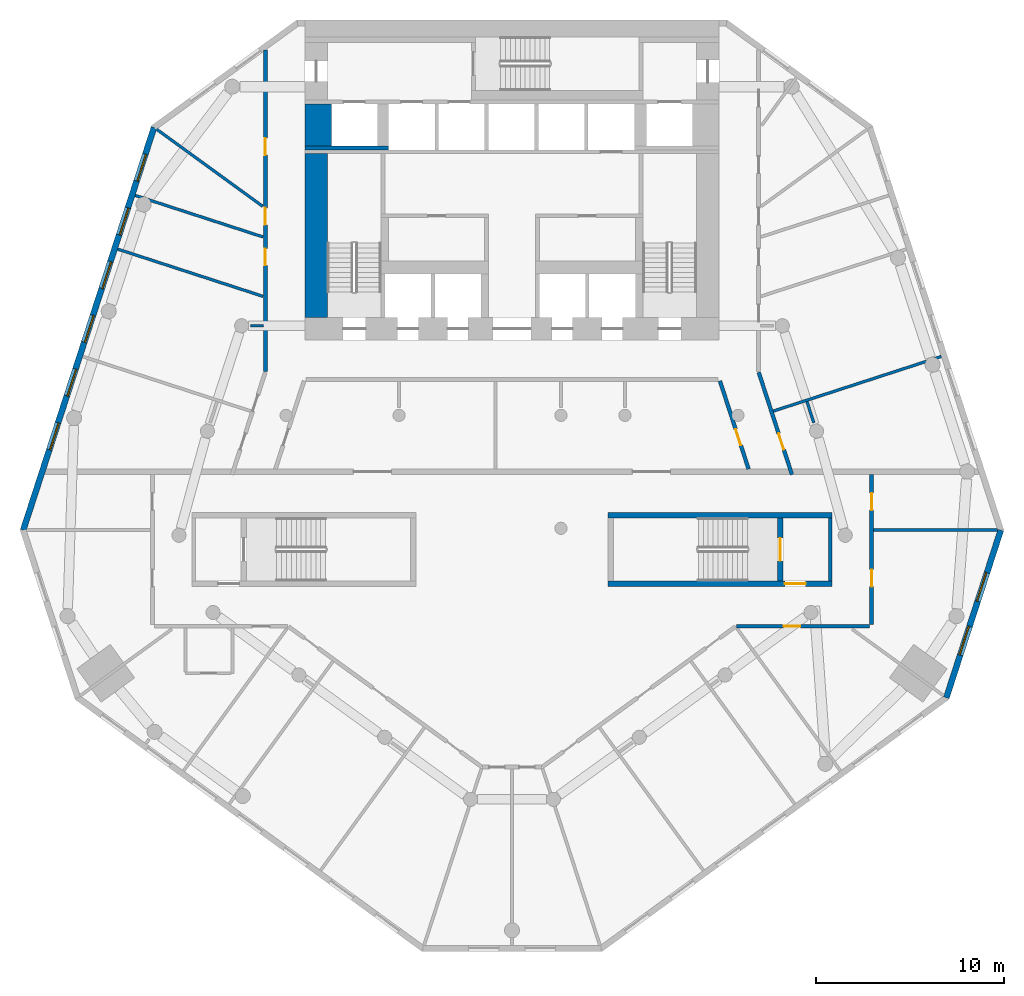
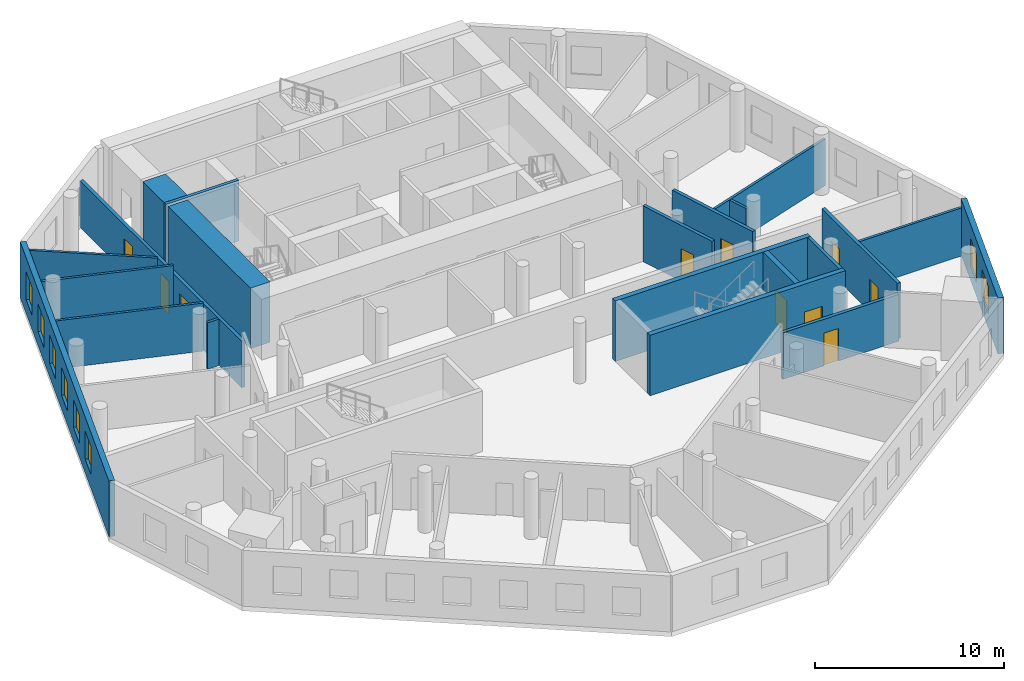
# One storey, part 4 of 9: 21 walls, 10 doors, 8 windows, 18 openings.
"""IFC4 building model written with IfcOpenShell, lengths in metres."""

from ifc_helpers import new_model, si_unit, direction, frame, frame_2d, origin, place, context, subcontext, project, spatial, rectangle, extrude, material, layer, layer_set, type_object, element, fill, save


model = new_model("IFC4")

# Units and contexts
model_context = context("Model", 3, precision=1e-05, world=origin(), true_north=direction((0.0, 1.0)))
body_context = subcontext(model_context, "Body", "Model", "MODEL_VIEW")
ifc_project = project(units=[si_unit("LENGTHUNIT", "METRE"), si_unit("AREAUNIT", "SQUARE_METRE"), si_unit("VOLUMEUNIT", "CUBIC_METRE"), si_unit("PLANEANGLEUNIT", "RADIAN"), si_unit("MASSUNIT", "GRAM", prefix="KILO")], contexts=[model_context])

# Site, building, storey
site_placement = place(None, origin())
site = spatial("IfcSite", under=ifc_project, at=site_placement, CompositionType="ELEMENT")
building_placement = place(site_placement, origin())
building = spatial("IfcBuilding", under=site, at=building_placement, Name="White Candle Pilgrim Tower", CompositionType="ELEMENT")
storey_placement = place(building_placement, frame((0.0, 0.0, 70.199951171875)))
storey = spatial("IfcBuildingStorey", under=building, at=storey_placement, Name="L14", CompositionType="ELEMENT", Elevation=70.199951171875)

# Walls
ifc_material_1 = material(Name="Concrete C70/85", Category="concrete")
ifc_layer_1 = layer(ifc_material_1, 1.39990234375)
ifc_layer_set_1 = layer_set([ifc_layer_1], Name="Core wall 1400 mm Concrete C70/85")
wall_type_1 = type_object("IfcWallType", Name="Core wall 1400 mm Concrete C70/85", PredefinedType="SHEAR", material=ifc_layer_set_1)
wall_1_placement = place(storey_placement, frame((59.699951171875, 81.300048828125, 0.0), z_axis=(0.0, 0.0, 1.0), x_axis=(0.0, 1.0, 0.0)))
element("IfcWall", 1, at=wall_1_placement, inside=storey, type_object=wall_type_1, Name="WL-L14-C37", PredefinedType="SHEAR", context=body_context, shape_type="SweptSolid", body=[
    extrude(rectangle(XDim=2.25, YDim=1.39990234375, at=frame_2d((1.125, 0.0))), origin(), (0.0, 0.0, 1.0), 3.900146484375),
])
ifc_layer_2 = layer(ifc_material_1, 0.199951171875)
ifc_layer_set_2 = layer_set([ifc_layer_2], Name="Core wall 200 mm Concrete C70/85")
wall_type_2 = type_object("IfcWallType", Name="Core wall 200 mm Concrete C70/85", PredefinedType="SHEAR", material=ifc_layer_set_2)
wall_2_placement = place(storey_placement, frame((86.89990234375, 58.199951171875, 0.0), z_axis=(0.0, 0.0, 1.0), x_axis=(0.0, 1.0, 0.0)))
element("IfcWall", 2, at=wall_2_placement, inside=storey, type_object=wall_type_2, Name="WL-L14-C08", PredefinedType="SHEAR", context=body_context, shape_type="SweptSolid", body=[
    extrude(rectangle(XDim=3.35009765625, YDim=0.199951171875, at=frame_2d((1.675048828125, 0.0))), origin(), (0.0, 0.0, 1.0), 3.900146484375),
])
wall_3_placement = place(storey_placement, frame((59.0, 81.199951171875, 0.0), z_axis=(0.0, 0.0, 1.0), x_axis=(1.0, 0.0, 0.0)))
element("IfcWall", 3, at=wall_3_placement, inside=storey, type_object=wall_type_2, Name="WL-L14-C31", PredefinedType="SHEAR", context=body_context, shape_type="SweptSolid", body=[
    extrude(rectangle(XDim=4.449951171875, YDim=0.199951171875, at=frame_2d((2.22509765625, 0.0))), origin(), (0.0, 0.0, 1.0), 3.900146484375),
])

# Wall, openings, doors
ifc_material_2 = material(Name="Gypsum board on steel studs", Category="steel")
ifc_layer_3 = layer(ifc_material_2, 0.199951171875)
ifc_layer_set_3 = layer_set([ifc_layer_3], Name="Corridor wall 200 mm EI 45")
wall_type_3 = type_object("IfcWallType", Name="Corridor wall 200 mm EI 45", PredefinedType="PARTITIONING", material=ifc_layer_set_3)
wall_4_placement = place(storey_placement, frame((56.89990234375, 69.319091796875, 0.0), z_axis=(0.0, 0.0, 1.0), x_axis=(0.0, 1.0, 0.0)))
wall_4 = element("IfcWall", 4, at=wall_4_placement, inside=storey, type_object=wall_type_3, Name="WL-L14-P003", PredefinedType="PARTITIONING", context=body_context, shape_type="SweptSolid", body=[
    extrude(rectangle(XDim=17.0771484375, YDim=0.199951171875, at=frame_2d((8.53857421875, 0.0))), origin(), (0.0, 0.0, 1.0), 3.0),
])
opening_1_placement = place(wall_4_placement, frame((5.642578125, 0.0, 0.0)))
opening_1 = element("IfcOpeningElement", 5, at=opening_1_placement, cuts=wall_4, Name="Opening T04-119", PredefinedType="OPENING", context=body_context, shape_type="SweptSolid", body=[
    extrude(rectangle(XDim=0.89990234375, YDim=2.10009765625, at=frame_2d((0.449951171875, 1.050048828125))), frame((0.0, 0.10986328125, 0.0), z_axis=(0.0, -1.0, 0.0), x_axis=(1.0, 0.0, 0.0)), (0.0, 0.0, 1.0), 0.219970703125),
])
opening_2_placement = place(wall_4_placement, frame((7.797119140625, 0.0, 0.0)))
opening_2 = element("IfcOpeningElement", 6, at=opening_2_placement, cuts=wall_4, Name="Opening T04-120", PredefinedType="OPENING", context=body_context, shape_type="SweptSolid", body=[
    extrude(rectangle(XDim=0.89990234375, YDim=2.10009765625, at=frame_2d((0.449951171875, 1.050048828125))), frame((0.0, 0.10986328125, 0.0), z_axis=(0.0, -1.0, 0.0), x_axis=(1.0, 0.0, 0.0)), (0.0, 0.0, 1.0), 0.219970703125),
])
opening_3_placement = place(wall_4_placement, frame((11.50390625, 0.0, 0.0)))
opening_3 = element("IfcOpeningElement", 7, at=opening_3_placement, cuts=wall_4, Name="Opening T04-121", PredefinedType="OPENING", context=body_context, shape_type="SweptSolid", body=[
    extrude(rectangle(XDim=0.89990234375, YDim=2.10009765625, at=frame_2d((0.449951171875, 1.050048828125))), frame((0.0, 0.10986328125, 0.0), z_axis=(0.0, -1.0, 0.0), x_axis=(1.0, 0.0, 0.0)), (0.0, 0.0, 1.0), 0.219970703125),
])
ifc_material_3 = material(Name="Steel door leaf", Category="steel")
door_type_1 = type_object("IfcDoorType", Name="Fire door 900 x 2100 EI 30", OperationType="NOTDEFINED", PredefinedType="DOOR", material=ifc_material_3)
door_1_placement = place(opening_1_placement, origin())
door_1 = element("IfcDoor", 8, at=door_1_placement, inside=storey, type_object=door_type_1, Name="Door T04-119", OperationType="SINGLE_SWING_LEFT", OverallHeight=2.10009765625, OverallWidth=0.89990234375, PredefinedType="DOOR", context=body_context, shape_type="SweptSolid", body=[
    extrude(rectangle(XDim=0.89990234375, YDim=2.10009765625, at=frame_2d((0.449951171875, 1.050048828125))), frame((0.0, 0.02490234375, 0.0), z_axis=(0.0, -1.0, 0.0), x_axis=(1.0, 0.0, 0.0)), (0.0, 0.0, 1.0), 0.050048828125),
])
fill(opening_1, door_1)
door_2_placement = place(opening_2_placement, origin())
door_2 = element("IfcDoor", 9, at=door_2_placement, inside=storey, type_object=door_type_1, Name="Door T04-120", OperationType="SINGLE_SWING_RIGHT", OverallHeight=2.10009765625, OverallWidth=0.89990234375, PredefinedType="DOOR", context=body_context, shape_type="SweptSolid", body=[
    extrude(rectangle(XDim=0.89990234375, YDim=2.10009765625, at=frame_2d((0.449951171875, 1.050048828125))), frame((0.0, 0.02490234375, 0.0), z_axis=(0.0, -1.0, 0.0), x_axis=(1.0, 0.0, 0.0)), (0.0, 0.0, 1.0), 0.050048828125),
])
fill(opening_2, door_2)
door_3_placement = place(opening_3_placement, origin())
door_3 = element("IfcDoor", 10, at=door_3_placement, inside=storey, type_object=door_type_1, Name="Door T04-121", OperationType="SINGLE_SWING_LEFT", OverallHeight=2.10009765625, OverallWidth=0.89990234375, PredefinedType="DOOR", context=body_context, shape_type="SweptSolid", body=[
    extrude(rectangle(XDim=0.89990234375, YDim=2.10009765625, at=frame_2d((0.449951171875, 1.050048828125))), frame((0.0, 0.02490234375, 0.0), z_axis=(0.0, -1.0, 0.0), x_axis=(1.0, 0.0, 0.0)), (0.0, 0.0, 1.0), 0.050048828125),
])
fill(opening_3, door_3)

# Wall, opening, door
wall_5_placement = place(storey_placement, frame((83.10498046875, 69.2880859375, 0.0), z_axis=(0.0, 0.0, 1.0), x_axis=(0.309006902183, -0.951059795388, 0.0)))
wall_5 = element("IfcWall", 11, at=wall_5_placement, inside=storey, type_object=wall_type_3, Name="WL-L14-P005", PredefinedType="PARTITIONING", context=body_context, shape_type="SweptSolid", body=[
    extrude(rectangle(XDim=5.7177734375, YDim=0.199951171875, at=frame_2d((2.85888671875, 0.0))), origin(), (0.0, 0.0, 1.0), 3.60009765625),
])
opening_4_placement = place(wall_5_placement, frame((3.419677734375, 0.0, 0.0)))
opening_4 = element("IfcOpeningElement", 12, at=opening_4_placement, cuts=wall_5, Name="Opening T04-127", PredefinedType="OPENING", context=body_context, shape_type="SweptSolid", body=[
    extrude(rectangle(XDim=0.89990234375, YDim=2.10009765625, at=frame_2d((0.449951171875, 1.050048828125))), frame((0.0, 0.10986328125, 0.0), z_axis=(0.0, -1.0, 0.0), x_axis=(1.0, 0.0, 0.0)), (0.0, 0.0, 1.0), 0.219970703125),
])
door_4_placement = place(opening_4_placement, origin())
door_4 = element("IfcDoor", 13, at=door_4_placement, inside=storey, type_object=door_type_1, Name="Door T04-127", OperationType="SINGLE_SWING_LEFT", OverallHeight=2.10009765625, OverallWidth=0.89990234375, PredefinedType="DOOR", context=body_context, shape_type="SweptSolid", body=[
    extrude(rectangle(XDim=0.89990234375, YDim=2.10009765625, at=frame_2d((0.449951171875, 1.050048828125))), frame((0.0, 0.02490234375, 0.0), z_axis=(0.0, -1.0, 0.0), x_axis=(1.0, 0.0, 0.0)), (0.0, 0.0, 1.0), 0.050048828125),
])
fill(opening_4, door_4)

# Wall, openings, doors
wall_6_placement = place(storey_placement, frame((89.10009765625, 63.85009765625, 0.0), z_axis=(0.0, 0.0, 1.0), x_axis=(0.0, -1.0, 0.0)))
wall_6 = element("IfcWall", 14, at=wall_6_placement, inside=storey, type_object=wall_type_3, Name="WL-L14-P006", PredefinedType="PARTITIONING", context=body_context, shape_type="SweptSolid", body=[
    extrude(rectangle(XDim=7.9501953125, YDim=0.199951171875, at=frame_2d((3.97509765625, 0.0))), origin(), (0.0, 0.0, 1.0), 3.60009765625),
])
opening_5_placement = place(wall_6_placement, frame((5.048095703125, 0.0, 0.0)))
opening_5 = element("IfcOpeningElement", 15, at=opening_5_placement, cuts=wall_6, Name="Opening T04-113", PredefinedType="OPENING", context=body_context, shape_type="SweptSolid", body=[
    extrude(rectangle(XDim=0.89990234375, YDim=2.10009765625, at=frame_2d((0.449951171875, 1.050048828125))), frame((0.0, 0.10986328125, 0.0), z_axis=(0.0, -1.0, 0.0), x_axis=(1.0, 0.0, 0.0)), (0.0, 0.0, 1.0), 0.219970703125),
])
opening_6_placement = place(wall_6_placement, frame((0.985595703125, 0.0, 0.0)))
opening_6 = element("IfcOpeningElement", 16, at=opening_6_placement, cuts=wall_6, Name="Opening T04-128", PredefinedType="OPENING", context=body_context, shape_type="SweptSolid", body=[
    extrude(rectangle(XDim=0.89990234375, YDim=2.10009765625, at=frame_2d((0.449951171875, 1.050048828125))), frame((0.0, 0.10986328125, 0.0), z_axis=(0.0, -1.0, 0.0), x_axis=(1.0, 0.0, 0.0)), (0.0, 0.0, 1.0), 0.219970703125),
])
door_5_placement = place(opening_5_placement, origin())
door_5 = element("IfcDoor", 17, at=door_5_placement, inside=storey, type_object=door_type_1, Name="Door T04-113", OperationType="SINGLE_SWING_LEFT", OverallHeight=2.10009765625, OverallWidth=0.89990234375, PredefinedType="DOOR", context=body_context, shape_type="SweptSolid", body=[
    extrude(rectangle(XDim=0.89990234375, YDim=2.10009765625, at=frame_2d((0.449951171875, 1.050048828125))), frame((0.0, 0.02490234375, 0.0), z_axis=(0.0, -1.0, 0.0), x_axis=(1.0, 0.0, 0.0)), (0.0, 0.0, 1.0), 0.050048828125),
])
fill(opening_5, door_5)
door_6_placement = place(opening_6_placement, origin())
door_6 = element("IfcDoor", 18, at=door_6_placement, inside=storey, type_object=door_type_1, Name="Door T04-128", OperationType="SINGLE_SWING_RIGHT", OverallHeight=2.10009765625, OverallWidth=0.89990234375, PredefinedType="DOOR", context=body_context, shape_type="SweptSolid", body=[
    extrude(rectangle(XDim=0.89990234375, YDim=2.10009765625, at=frame_2d((0.449951171875, 1.050048828125))), frame((0.0, 0.02490234375, 0.0), z_axis=(0.0, -1.0, 0.0), x_axis=(1.0, 0.0, 0.0)), (0.0, 0.0, 1.0), 0.050048828125),
])
fill(opening_6, door_6)

# Wall, opening, door
wall_7_placement = place(storey_placement, frame((89.0, 55.800048828125, 0.0), z_axis=(0.0, 0.0, 1.0), x_axis=(-1.0, 0.0, 0.0)))
wall_7 = element("IfcWall", 19, at=wall_7_placement, inside=storey, type_object=wall_type_3, Name="WL-L14-P007", PredefinedType="PARTITIONING", context=body_context, shape_type="SweptSolid", body=[
    extrude(rectangle(XDim=7.07080078125, YDim=0.199951171875, at=frame_2d((3.535400390625, 0.0))), origin(), (0.0, 0.0, 1.0), 3.0),
])
opening_7_placement = place(wall_7_placement, frame((3.67626953125, 0.0, 0.0)))
opening_7 = element("IfcOpeningElement", 20, at=opening_7_placement, cuts=wall_7, Name="Opening T04-112", PredefinedType="OPENING", context=body_context, shape_type="SweptSolid", body=[
    extrude(rectangle(XDim=0.89990234375, YDim=2.10009765625, at=frame_2d((0.449951171875, 1.050048828125))), frame((0.0, 0.10986328125, 0.0), z_axis=(0.0, -1.0, 0.0), x_axis=(1.0, 0.0, 0.0)), (0.0, 0.0, 1.0), 0.219970703125),
])
door_7_placement = place(opening_7_placement, origin())
door_7 = element("IfcDoor", 21, at=door_7_placement, inside=storey, type_object=door_type_1, Name="Door T04-112", OperationType="SINGLE_SWING_RIGHT", OverallHeight=2.10009765625, OverallWidth=0.89990234375, PredefinedType="DOOR", context=body_context, shape_type="SweptSolid", body=[
    extrude(rectangle(XDim=0.89990234375, YDim=2.10009765625, at=frame_2d((0.449951171875, 1.050048828125))), frame((0.0, 0.02490234375, 0.0), z_axis=(0.0, -1.0, 0.0), x_axis=(1.0, 0.0, 0.0)), (0.0, 0.0, 1.0), 0.050048828125),
])
fill(opening_7, door_7)

wall_8_placement = place(storey_placement, frame((82.56640625, 64.14990234375, 0.0), z_axis=(0.0, 0.0, 1.0), x_axis=(-0.309031112369, 0.951051928965, 0.0)))
wall_8 = element("IfcWall", 22, at=wall_8_placement, inside=storey, type_object=wall_type_3, Name="WL-L14-P015", PredefinedType="PARTITIONING", context=body_context, shape_type="SweptSolid", body=[
    extrude(rectangle(XDim=4.921875, YDim=0.199951171875, at=frame_2d((2.4609375, 0.0))), origin(), (0.0, 0.0, 1.0), 3.60009765625),
])
opening_8_placement = place(wall_8_placement, frame((1.32177734375, 0.0, 0.0)))
opening_8 = element("IfcOpeningElement", 23, at=opening_8_placement, cuts=wall_8, Name="Opening T04-129", PredefinedType="OPENING", context=body_context, shape_type="SweptSolid", body=[
    extrude(rectangle(XDim=0.89990234375, YDim=2.10009765625, at=frame_2d((0.449951171875, 1.050048828125))), frame((0.0, 0.10986328125, 0.0), z_axis=(0.0, -1.0, 0.0), x_axis=(1.0, 0.0, 0.0)), (0.0, 0.0, 1.0), 0.219970703125),
])
door_8_placement = place(opening_8_placement, origin())
door_8 = element("IfcDoor", 24, at=door_8_placement, inside=storey, type_object=door_type_1, Name="Door T04-129", OperationType="SINGLE_SWING_LEFT", OverallHeight=2.10009765625, OverallWidth=0.89990234375, PredefinedType="DOOR", context=body_context, shape_type="SweptSolid", body=[
    extrude(rectangle(XDim=0.89990234375, YDim=2.10009765625, at=frame_2d((0.449951171875, 1.050048828125))), frame((0.0, 0.02490234375, 0.0), z_axis=(0.0, -1.0, 0.0), x_axis=(1.0, 0.0, 0.0)), (0.0, 0.0, 1.0), 0.050048828125),
])
fill(opening_8, door_8)

# Wall, openings, windows
ifc_material_4 = material(Name="Precast concrete C40/50", Category="concrete")
ifc_layer_4 = layer(ifc_material_4, 0.320068359375)
ifc_layer_set_4 = layer_set([ifc_layer_4], Name="Facade wall EW1 precast concrete C40/50 pier wall with timber-lined reveals")
wall_type_4 = type_object("IfcWallType", Name="Facade wall EW1 precast concrete C40/50 pier wall with timber-lined reveals", PredefinedType="SOLIDWALL", material=ifc_layer_set_4)
wall_9_placement = place(storey_placement, frame((93.073974609375, 52.005126953125, 0.0), z_axis=(0.0, 0.0, 1.0), x_axis=(0.309024710052, 0.951054009285, 0.0)))
wall_9 = element("IfcWall", 25, at=wall_9_placement, inside=storey, type_object=wall_type_4, Name="Facade wall L14 E chamfer", PredefinedType="SOLIDWALL", context=body_context, shape_type="SweptSolid", body=[
    extrude(rectangle(XDim=9.3564453125, YDim=0.320068359375, at=frame_2d((4.67822265625, 0.0))), origin(), (0.0, 0.0, 1.0), 3.60009765625),
])
opening_9_placement = place(wall_9_placement, frame((2.37841796875, 0.0, 0.89990234375)))
opening_9 = element("IfcOpeningElement", 26, at=opening_9_placement, cuts=wall_9, Name="Opening W2", PredefinedType="OPENING", context=body_context, shape_type="SweptSolid", body=[
    extrude(rectangle(XDim=1.60009765625, YDim=1.800048828125, at=frame_2d((0.800048828125, 0.89990234375))), frame((0.0, 0.169921875, 0.0), z_axis=(0.0, -1.0, 0.0), x_axis=(1.0, 0.0, 0.0)), (0.0, 0.0, 1.0), 0.340087890625),
])
opening_10_placement = place(wall_9_placement, frame((5.37841796875, 0.0, 0.89990234375)))
opening_10 = element("IfcOpeningElement", 27, at=opening_10_placement, cuts=wall_9, Name="Opening W2", PredefinedType="OPENING", context=body_context, shape_type="SweptSolid", body=[
    extrude(rectangle(XDim=1.60009765625, YDim=1.800048828125, at=frame_2d((0.800048828125, 0.89990234375))), frame((0.0, 0.169921875, 0.0), z_axis=(0.0, -1.0, 0.0), x_axis=(1.0, 0.0, 0.0)), (0.0, 0.0, 1.0), 0.340087890625),
])
ifc_material_5 = material(Name="Timber frame with triple glazing", Category="wood")
window_type_1 = type_object("IfcWindowType", Name="Window W2 1600x1800 timber frame triple glazing", PartitioningType="SINGLE_PANEL", PredefinedType="WINDOW", material=ifc_material_5)
window_1_placement = place(opening_9_placement, origin())
window_1 = element("IfcWindow", 28, at=window_1_placement, inside=storey, type_object=window_type_1, Name="Window W2 L14 E chamfer 1", OverallHeight=1.800048828125, OverallWidth=1.60009765625, PartitioningType="SINGLE_PANEL", PredefinedType="WINDOW", context=body_context, shape_type="SweptSolid", body=[
    extrude(rectangle(XDim=1.60009765625, YDim=1.800048828125, at=frame_2d((0.800048828125, 0.89990234375))), frame((0.0, 0.070068359375, 0.0), z_axis=(0.0, -1.0, 0.0), x_axis=(1.0, 0.0, 0.0)), (0.0, 0.0, 1.0), 0.06005859375),
])
fill(opening_9, window_1)
window_2_placement = place(opening_10_placement, origin())
window_2 = element("IfcWindow", 29, at=window_2_placement, inside=storey, type_object=window_type_1, Name="Window W2 L14 E chamfer 2", OverallHeight=1.800048828125, OverallWidth=1.60009765625, PartitioningType="SINGLE_PANEL", PredefinedType="WINDOW", context=body_context, shape_type="SweptSolid", body=[
    extrude(rectangle(XDim=1.60009765625, YDim=1.800048828125, at=frame_2d((0.800048828125, 0.89990234375))), frame((0.0, 0.070068359375, 0.0), z_axis=(0.0, -1.0, 0.0), x_axis=(1.0, 0.0, 0.0)), (0.0, 0.0, 1.0), 0.06005859375),
])
fill(opening_10, window_2)

wall_10_placement = place(storey_placement, frame((50.98583984375, 82.297119140625, 0.0), z_axis=(0.0, 0.0, 1.0), x_axis=(-0.309016374519, -0.951056717698, 0.0)))
wall_10 = element("IfcWall", 30, at=wall_10_placement, inside=storey, type_object=wall_type_4, Name="Facade wall L14 WNW", PredefinedType="SOLIDWALL", context=body_context, shape_type="SweptSolid", body=[
    extrude(rectangle(XDim=22.49462890625, YDim=0.320068359375, at=frame_2d((11.247314453125, 0.0))), origin(), (0.0, 0.0, 1.0), 3.60009765625),
])
opening_11_placement = place(wall_10_placement, frame((1.497314453125, 0.0, 0.89990234375)))
opening_11 = element("IfcOpeningElement", 31, at=opening_11_placement, cuts=wall_10, Name="Opening W1", PredefinedType="OPENING", context=body_context, shape_type="SweptSolid", body=[
    extrude(rectangle(XDim=1.5, YDim=1.800048828125, at=frame_2d((0.75, 0.89990234375))), frame((0.0, 0.169921875, 0.0), z_axis=(0.0, -1.0, 0.0), x_axis=(1.0, 0.0, 0.0)), (0.0, 0.0, 1.0), 0.340087890625),
])
opening_12_placement = place(wall_10_placement, frame((4.497314453125, 0.0, 0.89990234375)))
opening_12 = element("IfcOpeningElement", 32, at=opening_12_placement, cuts=wall_10, Name="Opening W1", PredefinedType="OPENING", context=body_context, shape_type="SweptSolid", body=[
    extrude(rectangle(XDim=1.5, YDim=1.800048828125, at=frame_2d((0.75, 0.89990234375))), frame((0.0, 0.169921875, 0.0), z_axis=(0.0, -1.0, 0.0), x_axis=(1.0, 0.0, 0.0)), (0.0, 0.0, 1.0), 0.340087890625),
])
opening_13_placement = place(wall_10_placement, frame((7.497314453125, 0.0, 0.89990234375)))
opening_13 = element("IfcOpeningElement", 33, at=opening_13_placement, cuts=wall_10, Name="Opening W1", PredefinedType="OPENING", context=body_context, shape_type="SweptSolid", body=[
    extrude(rectangle(XDim=1.5, YDim=1.800048828125, at=frame_2d((0.75, 0.89990234375))), frame((0.0, 0.169921875, 0.0), z_axis=(0.0, -1.0, 0.0), x_axis=(1.0, 0.0, 0.0)), (0.0, 0.0, 1.0), 0.340087890625),
])
opening_14_placement = place(wall_10_placement, frame((10.497314453125, 0.0, 0.89990234375)))
opening_14 = element("IfcOpeningElement", 34, at=opening_14_placement, cuts=wall_10, Name="Opening W1", PredefinedType="OPENING", context=body_context, shape_type="SweptSolid", body=[
    extrude(rectangle(XDim=1.5, YDim=1.800048828125, at=frame_2d((0.75, 0.89990234375))), frame((0.0, 0.169921875, 0.0), z_axis=(0.0, -1.0, 0.0), x_axis=(1.0, 0.0, 0.0)), (0.0, 0.0, 1.0), 0.340087890625),
])
opening_15_placement = place(wall_10_placement, frame((13.497314453125, 0.0, 0.89990234375)))
opening_15 = element("IfcOpeningElement", 35, at=opening_15_placement, cuts=wall_10, Name="Opening W1", PredefinedType="OPENING", context=body_context, shape_type="SweptSolid", body=[
    extrude(rectangle(XDim=1.5, YDim=1.800048828125, at=frame_2d((0.75, 0.89990234375))), frame((0.0, 0.169921875, 0.0), z_axis=(0.0, -1.0, 0.0), x_axis=(1.0, 0.0, 0.0)), (0.0, 0.0, 1.0), 0.340087890625),
])
opening_16_placement = place(wall_10_placement, frame((16.497314453125, 0.0, 0.89990234375)))
opening_16 = element("IfcOpeningElement", 36, at=opening_16_placement, cuts=wall_10, Name="Opening W1", PredefinedType="OPENING", context=body_context, shape_type="SweptSolid", body=[
    extrude(rectangle(XDim=1.5, YDim=1.800048828125, at=frame_2d((0.75, 0.89990234375))), frame((0.0, 0.169921875, 0.0), z_axis=(0.0, -1.0, 0.0), x_axis=(1.0, 0.0, 0.0)), (0.0, 0.0, 1.0), 0.340087890625),
])
window_type_2 = type_object("IfcWindowType", Name="Window W1 1500x1800 timber frame triple glazing", PartitioningType="SINGLE_PANEL", PredefinedType="WINDOW", material=ifc_material_5)
window_3_placement = place(opening_11_placement, origin())
window_3 = element("IfcWindow", 37, at=window_3_placement, inside=storey, type_object=window_type_2, Name="Window W1 L14 WNW 1", OverallHeight=1.800048828125, OverallWidth=1.5, PartitioningType="SINGLE_PANEL", PredefinedType="WINDOW", context=body_context, shape_type="SweptSolid", body=[
    extrude(rectangle(XDim=1.5, YDim=1.800048828125, at=frame_2d((0.75, 0.89990234375))), frame((0.0, 0.070068359375, 0.0), z_axis=(0.0, -1.0, 0.0), x_axis=(1.0, 0.0, 0.0)), (0.0, 0.0, 1.0), 0.06005859375),
])
fill(opening_11, window_3)
window_4_placement = place(opening_12_placement, origin())
window_4 = element("IfcWindow", 38, at=window_4_placement, inside=storey, type_object=window_type_2, Name="Window W1 L14 WNW 2", OverallHeight=1.800048828125, OverallWidth=1.5, PartitioningType="SINGLE_PANEL", PredefinedType="WINDOW", context=body_context, shape_type="SweptSolid", body=[
    extrude(rectangle(XDim=1.5, YDim=1.800048828125, at=frame_2d((0.75, 0.89990234375))), frame((0.0, 0.070068359375, 0.0), z_axis=(0.0, -1.0, 0.0), x_axis=(1.0, 0.0, 0.0)), (0.0, 0.0, 1.0), 0.06005859375),
])
fill(opening_12, window_4)
window_5_placement = place(opening_13_placement, origin())
window_5 = element("IfcWindow", 39, at=window_5_placement, inside=storey, type_object=window_type_2, Name="Window W1 L14 WNW 3", OverallHeight=1.800048828125, OverallWidth=1.5, PartitioningType="SINGLE_PANEL", PredefinedType="WINDOW", context=body_context, shape_type="SweptSolid", body=[
    extrude(rectangle(XDim=1.5, YDim=1.800048828125, at=frame_2d((0.75, 0.89990234375))), frame((0.0, 0.070068359375, 0.0), z_axis=(0.0, -1.0, 0.0), x_axis=(1.0, 0.0, 0.0)), (0.0, 0.0, 1.0), 0.06005859375),
])
fill(opening_13, window_5)
window_6_placement = place(opening_14_placement, origin())
window_6 = element("IfcWindow", 40, at=window_6_placement, inside=storey, type_object=window_type_2, Name="Window W1 L14 WNW 4", OverallHeight=1.800048828125, OverallWidth=1.5, PartitioningType="SINGLE_PANEL", PredefinedType="WINDOW", context=body_context, shape_type="SweptSolid", body=[
    extrude(rectangle(XDim=1.5, YDim=1.800048828125, at=frame_2d((0.75, 0.89990234375))), frame((0.0, 0.070068359375, 0.0), z_axis=(0.0, -1.0, 0.0), x_axis=(1.0, 0.0, 0.0)), (0.0, 0.0, 1.0), 0.06005859375),
])
fill(opening_14, window_6)
window_7_placement = place(opening_15_placement, origin())
window_7 = element("IfcWindow", 41, at=window_7_placement, inside=storey, type_object=window_type_2, Name="Window W1 L14 WNW 5", OverallHeight=1.800048828125, OverallWidth=1.5, PartitioningType="SINGLE_PANEL", PredefinedType="WINDOW", context=body_context, shape_type="SweptSolid", body=[
    extrude(rectangle(XDim=1.5, YDim=1.800048828125, at=frame_2d((0.75, 0.89990234375))), frame((0.0, 0.070068359375, 0.0), z_axis=(0.0, -1.0, 0.0), x_axis=(1.0, 0.0, 0.0)), (0.0, 0.0, 1.0), 0.06005859375),
])
fill(opening_15, window_7)
window_8_placement = place(opening_16_placement, origin())
window_8 = element("IfcWindow", 42, at=window_8_placement, inside=storey, type_object=window_type_2, Name="Window W1 L14 WNW 6", OverallHeight=1.800048828125, OverallWidth=1.5, PartitioningType="SINGLE_PANEL", PredefinedType="WINDOW", context=body_context, shape_type="SweptSolid", body=[
    extrude(rectangle(XDim=1.5, YDim=1.800048828125, at=frame_2d((0.75, 0.89990234375))), frame((0.0, 0.070068359375, 0.0), z_axis=(0.0, -1.0, 0.0), x_axis=(1.0, 0.0, 0.0)), (0.0, 0.0, 1.0), 0.06005859375),
])
fill(opening_16, window_8)

# Walls
ifc_layer_5 = layer(ifc_material_2, 0.14990234375)
ifc_layer_set_5 = layer_set([ifc_layer_5], Name="Partition 150 mm EI 60")
wall_type_5 = type_object("IfcWallType", Name="Partition 150 mm EI 60", PredefinedType="PARTITIONING", material=ifc_layer_set_5)
wall_11_placement = place(storey_placement, frame((51.1220703125, 82.1982421875, 0.0), z_axis=(0.0, 0.0, 1.0), x_axis=(0.809011915856, -0.58779224221, 0.0)))
element("IfcWall", 43, at=wall_11_placement, inside=storey, type_object=wall_type_5, Name="WL-L14-P016", PredefinedType="PARTITIONING", context=body_context, shape_type="SweptSolid", body=[
    extrude(rectangle(XDim=6.9638671875, YDim=0.14990234375, at=frame_2d((3.48193359375, 0.0))), origin(), (0.0, 0.0, 1.0), 3.10009765625),
])
wall_12_placement = place(storey_placement, frame((95.797119140625, 60.903564453125, 0.0), z_axis=(0.0, 0.0, 1.0), x_axis=(-1.0, 0.0, 0.0)))
element("IfcWall", 44, at=wall_12_placement, inside=storey, type_object=wall_type_5, Name="WL-L14-P022", PredefinedType="PARTITIONING", context=body_context, shape_type="SweptSolid", body=[
    extrude(rectangle(XDim=6.59716796875, YDim=0.14990234375, at=frame_2d((3.298583984375, 0.0))), origin(), (0.0, 0.0, 1.0), 3.10009765625),
])
wall_13_placement = place(storey_placement, frame((49.97998046875, 78.683837890625, 0.0), z_axis=(0.0, 0.0, 1.0), x_axis=(0.951064189929, -0.308993376362, 0.0)))
element("IfcWall", 45, at=wall_13_placement, inside=storey, type_object=wall_type_5, Name="WL-L14-P024", PredefinedType="PARTITIONING", context=body_context, shape_type="SweptSolid", body=[
    extrude(rectangle(XDim=7.146484375, YDim=0.14990234375, at=frame_2d((3.5732421875, 0.0))), origin(), (0.0, 0.0, 1.0), 3.60009765625),
])
wall_14_placement = place(storey_placement, frame((49.052978515625, 75.830810546875, 0.0), z_axis=(0.0, 0.0, 1.0), x_axis=(0.951051961222, -0.309031013097, 0.0)))
element("IfcWall", 46, at=wall_14_placement, inside=storey, type_object=wall_type_5, Name="WL-L14-P025", PredefinedType="PARTITIONING", context=body_context, shape_type="SweptSolid", body=[
    extrude(rectangle(XDim=8.121337890625, YDim=0.14990234375, at=frame_2d((4.060546875, 0.0))), origin(), (0.0, 0.0, 1.0), 3.10009765625),
])
wall_15_placement = place(storey_placement, frame((92.801025390625, 70.124267578125, 0.0), z_axis=(0.0, 0.0, 1.0), x_axis=(-0.951060843481, -0.309003676349, 0.0)))
element("IfcWall", 47, at=wall_15_placement, inside=storey, type_object=wall_type_5, Name="WL-L14-P037", PredefinedType="PARTITIONING", context=body_context, shape_type="SweptSolid", body=[
    extrude(rectangle(XDim=9.3798828125, YDim=0.14990234375, at=frame_2d((4.68994140625, 0.0))), origin(), (0.0, 0.0, 1.0), 3.0),
])
wall_16_placement = place(storey_placement, frame((86.032958984375, 66.60107421875, 0.0), z_axis=(0.0, 0.0, 1.0), x_axis=(-0.308983531668, 0.951067388337, 0.0)))
element("IfcWall", 48, at=wall_16_placement, inside=storey, type_object=wall_type_5, Name="WL-L14-P047", PredefinedType="PARTITIONING", context=body_context, shape_type="SweptSolid", body=[
    extrude(rectangle(XDim=1.184326171875, YDim=0.14990234375, at=frame_2d((0.59228515625, 0.0))), origin(), (0.0, 0.0, 1.0), 3.0),
])
wall_17_placement = place(storey_placement, frame((56.10498046875, 71.76220703125, 0.0), z_axis=(0.0, 0.0, 1.0), x_axis=(1.0, 0.0, 0.0)))
element("IfcWall", 49, at=wall_17_placement, inside=storey, type_object=wall_type_5, Name="WL-L14-P049", PredefinedType="PARTITIONING", context=body_context, shape_type="SweptSolid", body=[
    extrude(rectangle(XDim=0.695068359375, YDim=0.14990234375, at=frame_2d((0.34765625, 0.0))), origin(), (0.0, 0.0, 1.0), 3.0),
])
ifc_layer_6 = layer(ifc_material_1, 1.199951171875)
ifc_layer_set_6 = layer_set([ifc_layer_6], Name="Stair shaft wall 1200 mm Concrete C70/85")
wall_type_6 = type_object("IfcWallType", Name="Stair shaft wall 1200 mm Concrete C70/85", PredefinedType="SHEAR", material=ifc_layer_set_6)
wall_18_placement = place(storey_placement, frame((59.60009765625, 72.199951171875, 0.0), z_axis=(0.0, 0.0, 1.0), x_axis=(0.0, 1.0, 0.0)))
element("IfcWall", 50, at=wall_18_placement, inside=storey, type_object=wall_type_6, Name="WL-L14-C12", PredefinedType="SHEAR", context=body_context, shape_type="SweptSolid", body=[
    extrude(rectangle(XDim=8.699951171875, YDim=1.199951171875, at=frame_2d((4.35009765625, 0.0))), origin(), (0.0, 0.0, 1.0), 3.900146484375),
])

# Wall, opening, door
ifc_layer_7 = layer(ifc_material_1, 0.300048828125)
ifc_layer_set_7 = layer_set([ifc_layer_7], Name="Stair shaft wall 300 mm Concrete C70/85")
wall_type_7 = type_object("IfcWallType", Name="Stair shaft wall 300 mm Concrete C70/85", PredefinedType="SHEAR", material=ifc_layer_set_7)
wall_19_placement = place(storey_placement, frame((75.10009765625, 58.050048828125, 0.0), z_axis=(0.0, 0.0, 1.0), x_axis=(1.0, 0.0, 0.0)))
wall_19 = element("IfcWall", 51, at=wall_19_placement, inside=storey, type_object=wall_type_7, Name="WL-L14-C02", PredefinedType="SHEAR", context=body_context, shape_type="SweptSolid", body=[
    extrude(rectangle(XDim=11.89990234375, YDim=0.300048828125, at=frame_2d((5.949951171875, 0.0))), origin(), (0.0, 0.0, 1.0), 3.900146484375),
])
opening_17_placement = place(wall_19_placement, frame((9.39990234375, 0.0, 0.0)))
opening_17 = element("IfcOpeningElement", 52, at=opening_17_placement, cuts=wall_19, Name="Opening T04-009", PredefinedType="OPENING", context=body_context, shape_type="SweptSolid", body=[
    extrude(rectangle(XDim=1.10009765625, YDim=2.10009765625, at=frame_2d((0.550048828125, 1.050048828125))), frame((0.0, 0.159912109375, 0.0), z_axis=(0.0, -1.0, 0.0), x_axis=(1.0, 0.0, 0.0)), (0.0, 0.0, 1.0), 0.320068359375),
])
door_type_2 = type_object("IfcDoorType", Name="Fire door 1100 x 2100 EI 60", OperationType="NOTDEFINED", PredefinedType="DOOR", material=ifc_material_3)
door_9_placement = place(opening_17_placement, origin())
door_9 = element("IfcDoor", 53, at=door_9_placement, inside=storey, type_object=door_type_2, Name="Door T04-009", OperationType="SINGLE_SWING_LEFT", OverallHeight=2.10009765625, OverallWidth=1.10009765625, PredefinedType="DOOR", context=body_context, shape_type="SweptSolid", body=[
    extrude(rectangle(XDim=1.10009765625, YDim=2.10009765625, at=frame_2d((0.550048828125, 1.050048828125))), frame((0.0, 0.02490234375, 0.0), z_axis=(0.0, -1.0, 0.0), x_axis=(1.0, 0.0, 0.0)), (0.0, 0.0, 1.0), 0.050048828125),
])
fill(opening_17, door_9)

wall_20_placement = place(storey_placement, frame((84.25, 58.199951171875, 0.0), z_axis=(0.0, 0.0, 1.0), x_axis=(0.0, 1.0, 0.0)))
wall_20 = element("IfcWall", 54, at=wall_20_placement, inside=storey, type_object=wall_type_7, Name="WL-L14-C07", PredefinedType="SHEAR", context=body_context, shape_type="SweptSolid", body=[
    extrude(rectangle(XDim=3.35009765625, YDim=0.300048828125, at=frame_2d((1.675048828125, 0.0))), origin(), (0.0, 0.0, 1.0), 3.900146484375),
])
opening_18_placement = place(wall_20_placement, frame((1.074951171875, 0.0, 0.0)))
opening_18 = element("IfcOpeningElement", 55, at=opening_18_placement, cuts=wall_20, Name="Opening T04-010", PredefinedType="OPENING", context=body_context, shape_type="SweptSolid", body=[
    extrude(rectangle(XDim=1.199951171875, YDim=2.10009765625, at=frame_2d((0.60009765625, 1.050048828125))), frame((0.0, 0.159912109375, 0.0), z_axis=(0.0, -1.0, 0.0), x_axis=(1.0, 0.0, 0.0)), (0.0, 0.0, 1.0), 0.320068359375),
])
door_type_3 = type_object("IfcDoorType", Name="Fire door 1200 x 2100 EI 60", OperationType="NOTDEFINED", PredefinedType="DOOR", material=ifc_material_3)
door_10_placement = place(opening_18_placement, origin())
door_10 = element("IfcDoor", 56, at=door_10_placement, inside=storey, type_object=door_type_3, Name="Door T04-010", OperationType="SINGLE_SWING_RIGHT", OverallHeight=2.10009765625, OverallWidth=1.199951171875, PredefinedType="DOOR", context=body_context, shape_type="SweptSolid", body=[
    extrude(rectangle(XDim=1.199951171875, YDim=2.10009765625, at=frame_2d((0.60009765625, 1.050048828125))), frame((0.0, 0.02490234375, 0.0), z_axis=(0.0, -1.0, 0.0), x_axis=(1.0, 0.0, 0.0)), (0.0, 0.0, 1.0), 0.050048828125),
])
fill(opening_18, door_10)

# Wall
wall_21_placement = place(storey_placement, frame((75.10009765625, 61.699951171875, 0.0), z_axis=(0.0, 0.0, 1.0), x_axis=(1.0, 0.0, 0.0)))
element("IfcWall", 57, at=wall_21_placement, inside=storey, type_object=wall_type_7, Name="WL-L14-C10", PredefinedType="SHEAR", context=body_context, shape_type="SweptSolid", body=[
    extrude(rectangle(XDim=11.89990234375, YDim=0.300048828125, at=frame_2d((5.949951171875, 0.0))), origin(), (0.0, 0.0, 1.0), 3.900146484375),
])

save(model, "model.ifc")
